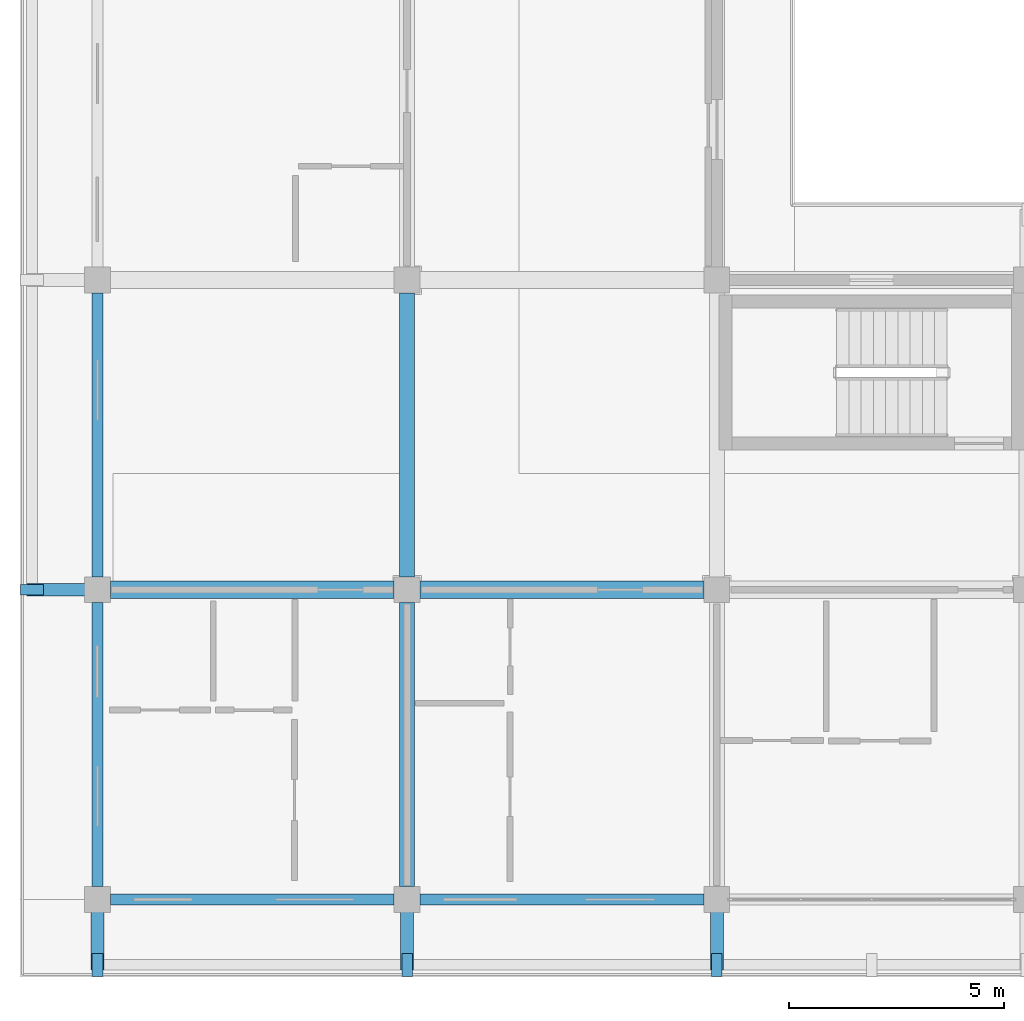
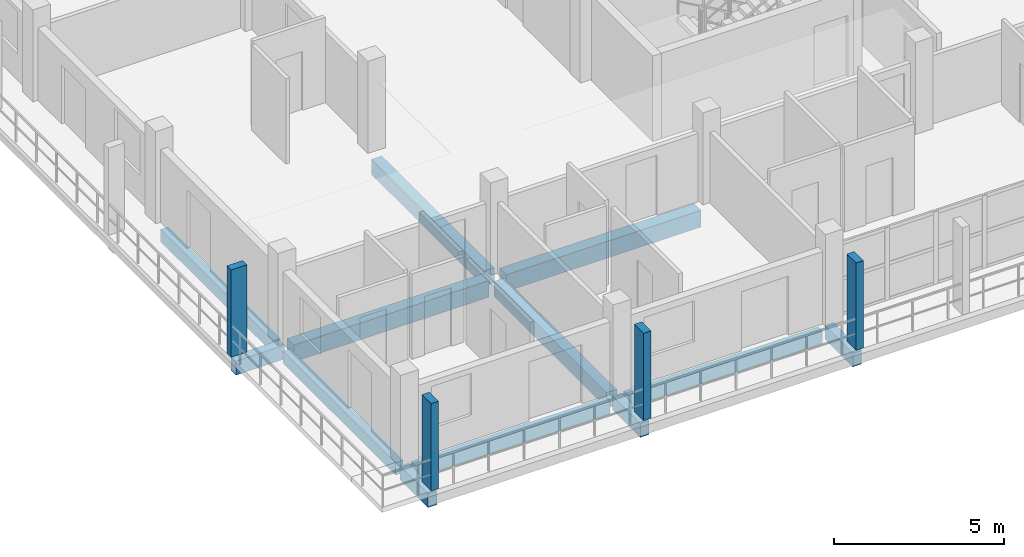
# One storey, part 3 of 75: 12 beams, 4 members.
"""IFC4 building model written with IfcOpenShell, lengths in metres."""

from ifc_helpers import new_model, si_unit, direction, frame, origin, origin_2d, place, context, subcontext, project, spatial, rectangle, extrude, material, material_profile, profile_set, type_object, element, save


model = new_model("IFC4")

# Units and contexts
model_context = context("Model", 3, precision=1e-05, world=origin(), true_north=direction((0.0, 1.0)))
body_context = subcontext(model_context, "Body", "Model", "MODEL_VIEW")
ifc_project = project(units=[si_unit("LENGTHUNIT", "METRE"), si_unit("AREAUNIT", "SQUARE_METRE"), si_unit("VOLUMEUNIT", "CUBIC_METRE"), si_unit("PLANEANGLEUNIT", "RADIAN"), si_unit("MASSUNIT", "GRAM", prefix="KILO")], contexts=[model_context])

# Site, building, storey
site_placement = place(None, origin())
site = spatial("IfcSite", under=ifc_project, at=site_placement, CompositionType="ELEMENT")
building_placement = place(site_placement, origin())
building = spatial("IfcBuilding", under=site, at=building_placement, Name="Suanplinth Sawtooth Commons", CompositionType="ELEMENT")
storey_placement = place(building_placement, frame((0.0, 0.0, 18.60009765625)))
storey = spatial("IfcBuildingStorey", under=building, at=storey_placement, Name="L05", CompositionType="ELEMENT", Elevation=18.60009765625)

# Beams
ifc_material_1 = material(Name="Precast concrete C40/50", Category="concrete")
ifc_material_profile_1 = material_profile(ifc_material_1, rectangle(XDim=0.39990234375, YDim=0.60009765625, at=origin_2d()), Name="PC-GDR 400x600")
ifc_profile_set_1 = profile_set([ifc_material_profile_1], Name="Precast concrete C40/50")
beam_type_1 = type_object("IfcBeamType", Name="B-05", PredefinedType="USERDEFINED", material=ifc_profile_set_1)
beam_1_placement = place(storey_placement, frame((0.300048828125, 7.199951171875, -0.550048828125), z_axis=(1.0, 0.0, 0.0), x_axis=(0.0, 1.0, 0.0)))
element("IfcBeam", 1, at=beam_1_placement, inside=storey, type_object=beam_type_1, Name="BMX-L05-D-0-1", ObjectType="GIRDER", PredefinedType="USERDEFINED", context=body_context, shape_type="SweptSolid", body=[
    extrude(rectangle(XDim=0.39990234375, YDim=0.60009765625, at=origin_2d()), origin(), (0.0, 0.0, 1.0), 6.599853515625),
])
beam_2_placement = place(storey_placement, frame((7.5, 7.199951171875, -0.550048828125), z_axis=(1.0, 0.0, 0.0), x_axis=(0.0, 1.0, 0.0)))
element("IfcBeam", 2, at=beam_2_placement, inside=storey, type_object=beam_type_1, Name="BMX-L05-D-1-1", ObjectType="GIRDER", PredefinedType="USERDEFINED", context=body_context, shape_type="SweptSolid", body=[
    extrude(rectangle(XDim=0.39990234375, YDim=0.60009765625, at=origin_2d()), origin(), (0.0, 0.0, 1.0), 6.60009765625),
])
ifc_material_profile_2 = material_profile(ifc_material_1, rectangle(XDim=0.35009765625, YDim=0.550048828125, at=origin_2d()), Name="PC-BM 350x550")
ifc_profile_set_2 = profile_set([ifc_material_profile_2], Name="Precast concrete C40/50")
beam_type_2 = type_object("IfcBeamType", Name="B-06", PredefinedType="BEAM", material=ifc_profile_set_2)
beam_3_placement = place(storey_placement, frame((7.199951171875, 0.300048828125, -0.525146484375), z_axis=(0.0, 1.0, 0.0), x_axis=(-1.0, 0.0, 0.0)))
element("IfcBeam", 3, at=beam_3_placement, inside=storey, type_object=beam_type_2, Name="BMY-L05-D-1-0", PredefinedType="BEAM", context=body_context, shape_type="SweptSolid", body=[
    extrude(rectangle(XDim=0.35009765625, YDim=0.550048828125, at=origin_2d()), origin(), (0.0, 0.0, 1.0), 6.599853515625),
])
beam_4_placement = place(storey_placement, frame((7.199951171875, 7.5, -0.525146484375), z_axis=(0.0, 1.0, 0.0), x_axis=(-1.0, 0.0, 0.0)))
element("IfcBeam", 4, at=beam_4_placement, inside=storey, type_object=beam_type_2, Name="BMY-L05-D-1-1", PredefinedType="BEAM", context=body_context, shape_type="SweptSolid", body=[
    extrude(rectangle(XDim=0.35009765625, YDim=0.550048828125, at=origin_2d()), origin(), (0.0, 0.0, 1.0), 6.60009765625),
])
ifc_material_profile_3 = material_profile(ifc_material_1, rectangle(XDim=0.300048828125, YDim=0.5, at=origin_2d()), Name="PC-BM 300x500")
ifc_profile_set_3 = profile_set([ifc_material_profile_3], Name="Precast concrete C40/50")
beam_type_3 = type_object("IfcBeamType", Name="B-07", PredefinedType="BEAM", material=ifc_profile_set_3)
for number, where, z_axis, x_axis, name in (
    (5, (0.0, 0.0, -0.43017578125), (0.0, -1.0, 0.0), (1.0, 0.0, 0.0), "Balcony Outrigger L05-D-S-0"),
    (6, (7.199951171875, 0.0, -0.43017578125), (0.0, -1.0, 0.0), (1.0, 0.0, 0.0), "Balcony Outrigger L05-D-S-1"),
    (7, (14.39990234375, 0.0, -0.43017578125), (0.0, -1.0, 0.0), (1.0, 0.0, 0.0), "Balcony Outrigger L05-D-S-2"),
    (8, (0.0, 7.199951171875, -0.43017578125), (-1.0, 0.0, 0.0), (0.0, -1.0, 0.0), "Balcony Outrigger L05-D-W-1"),
):
    element("IfcBeam", number, at=place(storey_placement, frame(where, z_axis=z_axis, x_axis=x_axis)), inside=storey, type_object=beam_type_3, Name=name, PredefinedType="BEAM", context=body_context, shape_type="SweptSolid", body=[
        extrude(rectangle(XDim=0.300048828125, YDim=0.5, at=origin_2d()), origin(), (0.0, 0.0, 1.0), 1.639892578125),
    ])
ifc_material_profile_4 = material_profile(ifc_material_1, rectangle(XDim=0.25, YDim=0.449951171875, at=origin_2d()), Name="PC-SP 250x450")
ifc_profile_set_4 = profile_set([ifc_material_profile_4], Name="Precast concrete C40/50")
beam_type_4 = type_object("IfcBeamType", Name="B-09", PredefinedType="SPANDREL", material=ifc_profile_set_4)
beam_5_placement = place(storey_placement, frame((0.300048828125, 0.0, -0.47509765625), z_axis=(1.0, 0.0, 0.0), x_axis=(0.0, 1.0, 0.0)))
element("IfcBeam", 9, at=beam_5_placement, inside=storey, type_object=beam_type_4, Name="BMX-L05-D-0-0", PredefinedType="SPANDREL", context=body_context, shape_type="SweptSolid", body=[
    extrude(rectangle(XDim=0.25, YDim=0.449951171875, at=origin_2d()), origin(), (0.0, 0.0, 1.0), 6.599853515625),
])
beam_6_placement = place(storey_placement, frame((7.5, 0.0, -0.47509765625), z_axis=(1.0, 0.0, 0.0), x_axis=(0.0, 1.0, 0.0)))
element("IfcBeam", 10, at=beam_6_placement, inside=storey, type_object=beam_type_4, Name="BMX-L05-D-1-0", PredefinedType="SPANDREL", context=body_context, shape_type="SweptSolid", body=[
    extrude(rectangle(XDim=0.25, YDim=0.449951171875, at=origin_2d()), origin(), (0.0, 0.0, 1.0), 6.60009765625),
])
beam_7_placement = place(storey_placement, frame((0.0, 0.300048828125, -0.47509765625), z_axis=(0.0, 1.0, 0.0), x_axis=(-1.0, 0.0, 0.0)))
element("IfcBeam", 11, at=beam_7_placement, inside=storey, type_object=beam_type_4, Name="BMY-L05-D-0-0", PredefinedType="SPANDREL", context=body_context, shape_type="SweptSolid", body=[
    extrude(rectangle(XDim=0.25, YDim=0.449951171875, at=origin_2d()), origin(), (0.0, 0.0, 1.0), 6.599853515625),
])
beam_8_placement = place(storey_placement, frame((0.0, 7.5, -0.47509765625), z_axis=(0.0, 1.0, 0.0), x_axis=(-1.0, 0.0, 0.0)))
element("IfcBeam", 12, at=beam_8_placement, inside=storey, type_object=beam_type_4, Name="BMY-L05-D-0-1", PredefinedType="SPANDREL", context=body_context, shape_type="SweptSolid", body=[
    extrude(rectangle(XDim=0.25, YDim=0.449951171875, at=origin_2d()), origin(), (0.0, 0.0, 1.0), 6.60009765625),
])

# Members
ifc_material_2 = material(Name="Pigmented precast concrete C40/50", Category="concrete")
ifc_material_profile_5 = material_profile(ifc_material_2, rectangle(XDim=0.25, YDim=0.5400390625, at=origin_2d()), Name="PC-FIN 250x540")
ifc_profile_set_5 = profile_set([ifc_material_profile_5], Name="Pigmented precast concrete C40/50")
member_type = type_object("IfcMemberType", Name="M-11", PredefinedType="USERDEFINED", material=ifc_profile_set_5)
for number, where, z_axis, x_axis, name in (
    (13, (0.0, -1.52001953125, 0.0), (0.0, 0.0, 1.0), (1.0, 0.0, 0.0), "Upright Solar Blade L05-D-S-01"),
    (14, (7.199951171875, -1.52001953125, 0.0), (0.0, 0.0, 1.0), (1.0, 0.0, 0.0), "Upright Solar Blade L05-D-S-02"),
    (15, (14.39990234375, -1.52001953125, 0.0), (0.0, 0.0, 1.0), (1.0, 0.0, 0.0), "Upright Solar Blade L05-D-S-03"),
    (16, (-1.52001953125, 7.199951171875, 0.0), (0.0, 0.0, 1.0), (0.0, 1.0, 0.0), "Upright Solar Blade L05-D-W-10"),
):
    element("IfcMember", number, at=place(storey_placement, frame(where, z_axis=z_axis, x_axis=x_axis)), inside=storey, type_object=member_type, Name=name, ObjectType="SHADING FIN", PredefinedType="USERDEFINED", context=body_context, shape_type="SweptSolid", body=[
        extrude(rectangle(XDim=0.25, YDim=0.5400390625, at=origin_2d()), origin(), (0.0, 0.0, 1.0), 3.1298828125),
    ])

save(model, "model.ifc")
